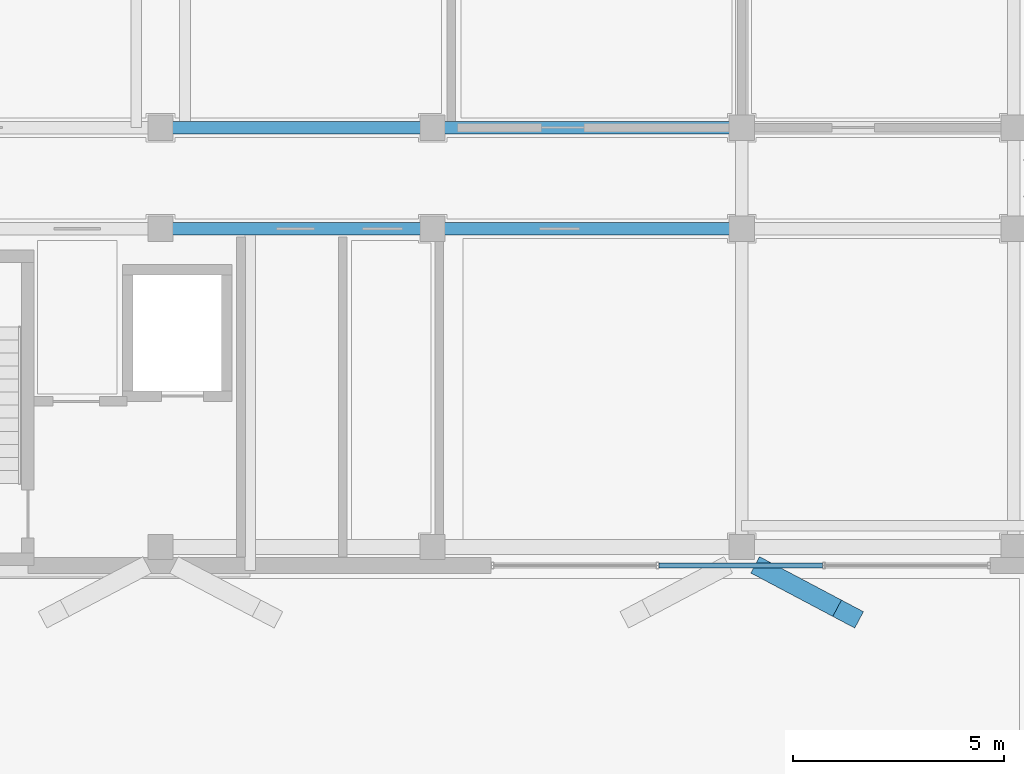
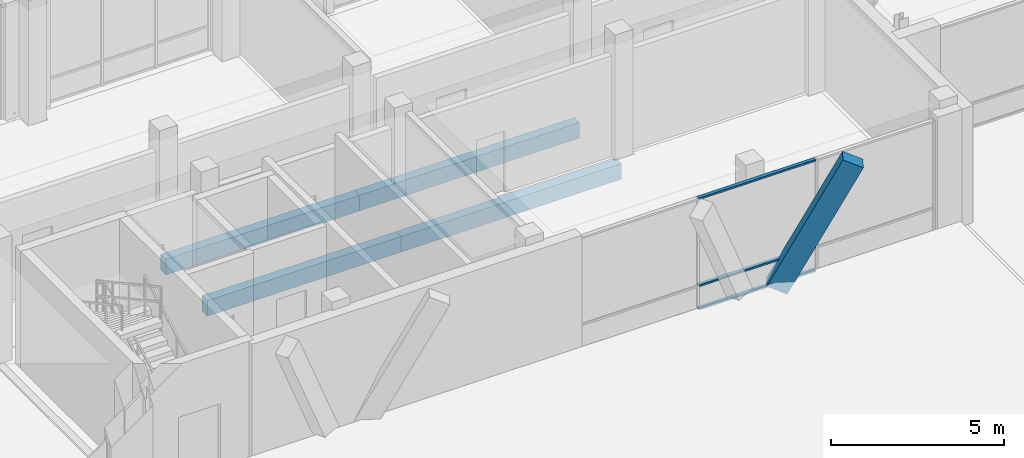
# One storey, part 113 of 233: 4 beams, 4 members, 1 element without a shape of its own.
"""IFC4 building model written with IfcOpenShell, lengths in metres."""

from ifc_helpers import new_model, si_unit, direction, frame, origin, origin_2d, place, context, subcontext, project, spatial, rectangle, hollow_rectangle, extrude, material, material_profile, profile_set, type_object, element, aggregate, save


model = new_model("IFC4")

# Units and contexts
model_context = context("Model", 3, precision=1e-05, world=origin(), true_north=direction((0.0, 1.0)))
body_context = subcontext(model_context, "Body", "Model", "MODEL_VIEW")
ifc_project = project(units=[si_unit("LENGTHUNIT", "METRE"), si_unit("AREAUNIT", "SQUARE_METRE"), si_unit("VOLUMEUNIT", "CUBIC_METRE"), si_unit("PLANEANGLEUNIT", "RADIAN"), si_unit("MASSUNIT", "GRAM", prefix="KILO")], contexts=[model_context])

# Site, building, storey
site_placement = place(None, origin())
site = spatial("IfcSite", under=ifc_project, at=site_placement, CompositionType="ELEMENT")
building_placement = place(site_placement, origin())
building = spatial("IfcBuilding", under=site, at=building_placement, Name="Zavelmont Quarter", CompositionType="ELEMENT")
storey_placement = place(building_placement, origin())
storey = spatial("IfcBuildingStorey", under=building, at=storey_placement, Name="L00", CompositionType="ELEMENT", Elevation=0.0)

# Beams
ifc_material_1 = material(Name="Concrete C35/45", Category="concrete")
ifc_material_profile_1 = material_profile(ifc_material_1, rectangle(XDim=0.300048828125, YDim=0.550048828125, at=origin_2d()), Name="RC300X550")
ifc_profile_set_1 = profile_set([ifc_material_profile_1], Name="Concrete C35/45")
beam_type = type_object("IfcBeamType", Name="BM02", PredefinedType="SPANDREL", material=ifc_profile_set_1)
beam_1_placement = place(storey_placement, frame((34.5, 105.60009765625, -0.594970703125), z_axis=(1.0, 0.0, 0.0), x_axis=(0.0, 1.0, 0.0)))
element("IfcBeam", 1, at=beam_1_placement, inside=storey, type_object=beam_type, Name="L00 beam BM02 6/Q to 7/Q", PredefinedType="SPANDREL", context=body_context, shape_type="SweptSolid", body=[
    extrude(rectangle(XDim=0.300048828125, YDim=0.550048828125, at=origin_2d()), origin(), (0.0, 0.0, 1.0), 6.4599609375),
])
beam_2_placement = place(storey_placement, frame((40.9599609375, 105.60009765625, -0.594970703125), z_axis=(1.0, 0.0, 0.0), x_axis=(0.0, 1.0, 0.0)))
element("IfcBeam", 2, at=beam_2_placement, inside=storey, type_object=beam_type, Name="L00 beam BM02 7/Q to 8/Q", PredefinedType="SPANDREL", context=body_context, shape_type="SweptSolid", body=[
    extrude(rectangle(XDim=0.300048828125, YDim=0.550048828125, at=origin_2d()), origin(), (0.0, 0.0, 1.0), 7.340087890625),
])
beam_3_placement = place(storey_placement, frame((34.5, 108.0, -0.594970703125), z_axis=(1.0, 0.0, 0.0), x_axis=(0.0, 1.0, 0.0)))
element("IfcBeam", 3, at=beam_3_placement, inside=storey, type_object=beam_type, Name="L00 beam BM02 6/R to 7/R", PredefinedType="SPANDREL", context=body_context, shape_type="SweptSolid", body=[
    extrude(rectangle(XDim=0.300048828125, YDim=0.550048828125, at=origin_2d()), origin(), (0.0, 0.0, 1.0), 6.4599609375),
])
beam_4_placement = place(storey_placement, frame((40.9599609375, 108.0, -0.594970703125), z_axis=(1.0, 0.0, 0.0), x_axis=(0.0, 1.0, 0.0)))
element("IfcBeam", 4, at=beam_4_placement, inside=storey, type_object=beam_type, Name="L00 beam BM02 7/R to 8/R", PredefinedType="SPANDREL", context=body_context, shape_type="SweptSolid", body=[
    extrude(rectangle(XDim=0.300048828125, YDim=0.550048828125, at=origin_2d()), origin(), (0.0, 0.0, 1.0), 7.340087890625),
])

# Curtain wall, members
ifc_material_2 = material(Name="Thermally broken aluminium and double low-E safety glazing", Category="aluminium")
curtain_wall_type = type_object("IfcCurtainWallType", Name="CW-1185X395", PredefinedType="NOTDEFINED", material=ifc_material_2)
curtain_wall_placement = place(storey_placement, origin())
curtain_wall = element("IfcCurtainWall", 5, at=curtain_wall_placement, inside=storey, type_object=curtain_wall_type, Name="L00 unitised curtain wall CW-1185X395", PredefinedType="NOTDEFINED")
ifc_material_3 = material(Name="Powder-coated aluminium EN AW-6063-T6", Category="aluminium")
ifc_material_profile_2 = material_profile(ifc_material_3, hollow_rectangle(XDim=0.1201171875, YDim=0.06005859375, WallThickness=0.00390625, at=origin_2d()), Name="CWT60X120")
ifc_profile_set_2 = profile_set([ifc_material_profile_2], Name="Powder-coated aluminium EN AW-6063-T6")
member_type_1 = type_object("IfcMemberType", Name="CWT01", PredefinedType="NOTDEFINED", material=ifc_profile_set_2)
member_1_placement = place(storey_placement, frame((46.330078125, 97.60009765625, 0.030029296875), z_axis=(1.0, 0.0, 0.0), x_axis=(0.0, 1.0, 0.0)))
member_1 = element("IfcMember", 6, at=member_1_placement, type_object=member_type_1, Name="CW-1185X395 transom 2.1", ObjectType="TRANSOM", PredefinedType="USERDEFINED", context=body_context, shape_type="SweptSolid", body=[
    extrude(hollow_rectangle(XDim=0.1201171875, YDim=0.06005859375, WallThickness=0.00390625, at=origin_2d()), origin(), (0.0, 0.0, 1.0), 3.889892578125),
])
member_2_placement = place(storey_placement, frame((46.330078125, 97.60009765625, 0.85009765625), z_axis=(1.0, 0.0, 0.0), x_axis=(0.0, 1.0, 0.0)))
member_2 = element("IfcMember", 7, at=member_2_placement, type_object=member_type_1, Name="CW-1185X395 transom 2.2", ObjectType="TRANSOM", PredefinedType="USERDEFINED", context=body_context, shape_type="SweptSolid", body=[
    extrude(hollow_rectangle(XDim=0.1201171875, YDim=0.06005859375, WallThickness=0.00390625, at=origin_2d()), origin(), (0.0, 0.0, 1.0), 3.889892578125),
])
member_3_placement = place(storey_placement, frame((46.330078125, 97.60009765625, 3.919921875), z_axis=(1.0, 0.0, 0.0), x_axis=(0.0, 1.0, 0.0)))
member_3 = element("IfcMember", 8, at=member_3_placement, type_object=member_type_1, Name="CW-1185X395 transom 2.3", ObjectType="TRANSOM", PredefinedType="USERDEFINED", context=body_context, shape_type="SweptSolid", body=[
    extrude(hollow_rectangle(XDim=0.1201171875, YDim=0.06005859375, WallThickness=0.00390625, at=origin_2d()), origin(), (0.0, 0.0, 1.0), 3.889892578125),
])
aggregate(curtain_wall, [member_1, member_2, member_3])

# Member
ifc_material_4 = material(Name="White architectural precast concrete C40/50", Category="concrete")
ifc_material_profile_3 = material_profile(ifc_material_4, rectangle(XDim=0.43994140625, YDim=0.659912109375, at=origin_2d()), Name="PCR320X480")
ifc_profile_set_3 = profile_set([ifc_material_profile_3], Name="White architectural precast concrete C40/50")
member_type_2 = type_object("IfcMemberType", Name="VR01M", PredefinedType="CHORD", material=ifc_profile_set_3)
member_4_placement = place(storey_placement, frame((48.8798828125, 97.47998046875, 0.0), z_axis=(0.395656680346, -0.209339796135, 0.894221807524), x_axis=(0.467668705891, 0.883903830476, 0.0)))
element("IfcMember", 9, at=member_4_placement, inside=storey, type_object=member_type_2, Name="L00 member VR01M 8/P to 8/P", PredefinedType="CHORD", context=body_context, shape_type="SweptSolid", body=[
    extrude(rectangle(XDim=0.43994140625, YDim=0.659912109375, at=origin_2d()), origin(), (0.0, 0.0, 1.0), 4.92041015625),
])

save(model, "model.ifc")
